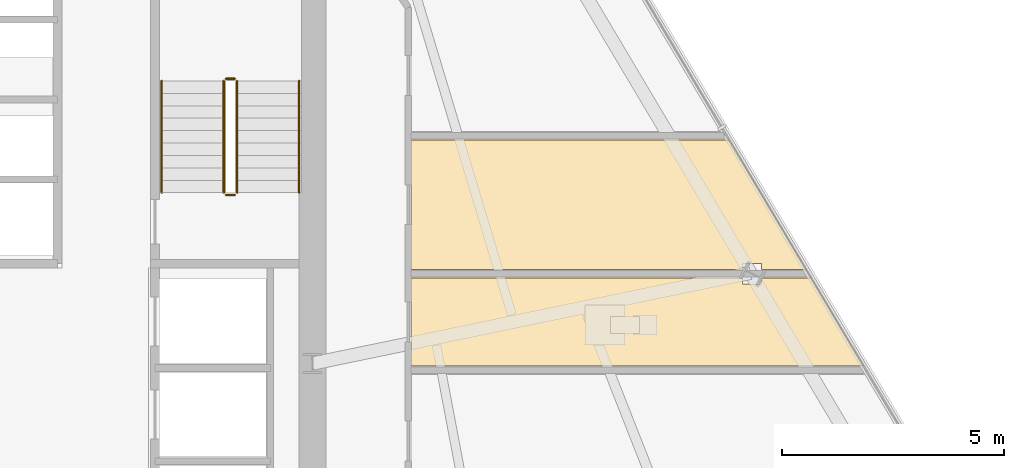
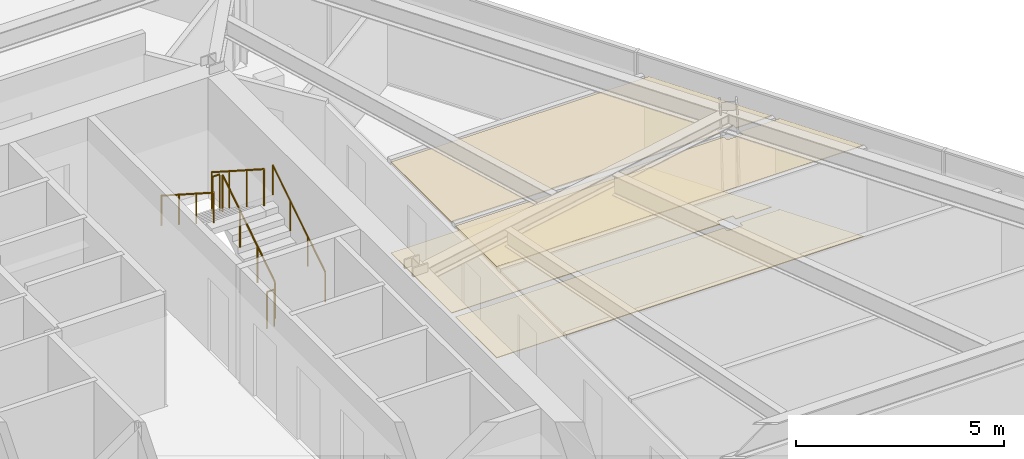
# One storey, part 16 of 18: 6 railings, 4 coverings.
"""IFC4 building model written with IfcOpenShell, lengths in metres."""

from ifc_helpers import new_model, si_unit, direction, frame, origin, origin_2d, place, context, subcontext, project, spatial, polyline, circle, outline, extrude, material, layer, layer_set, type_object, element, save


model = new_model("IFC4")

# Units and contexts
model_context = context("Model", 3, precision=1e-05, world=origin(), true_north=direction((0.0, 1.0)))
body_context = subcontext(model_context, "Body", "Model", "MODEL_VIEW")
ifc_project = project(units=[si_unit("LENGTHUNIT", "METRE"), si_unit("AREAUNIT", "SQUARE_METRE"), si_unit("VOLUMEUNIT", "CUBIC_METRE"), si_unit("PLANEANGLEUNIT", "RADIAN"), si_unit("MASSUNIT", "GRAM", prefix="KILO")], contexts=[model_context])

# Site, building, storey
site_placement = place(None, origin())
site = spatial("IfcSite", under=ifc_project, at=site_placement, CompositionType="ELEMENT")
building_placement = place(site_placement, origin())
building = spatial("IfcBuilding", under=site, at=building_placement, Name="Savorim Split Tower", CompositionType="ELEMENT")
storey_placement = place(building_placement, frame((0.0, 0.0, 48.0)))
storey = spatial("IfcBuildingStorey", under=building, at=storey_placement, Name="L12", CompositionType="ELEMENT", Elevation=48.0)

# Coverings
ifc_material_1 = material(Name="Mineral Fibre Acoustic Ceiling")
ifc_layer_1 = layer(ifc_material_1, 0.02490234375)
ifc_layer_set_1 = layer_set([ifc_layer_1], Name="COV-CEIL-25")
covering_type_1 = type_object("IfcCoveringType", Name="COV-CEIL-25", PredefinedType="CEILING", material=ifc_layer_set_1)
covering_1_placement = place(storey_placement, frame((0.0, 0.0, 2.669921875)))
element("IfcCovering", 1, at=covering_1_placement, inside=storey, type_object=covering_type_1, Name="L12 Shared Bathroom Acoustic Ceiling", PredefinedType="CEILING", context=body_context, shape_type="SweptSolid", body=[
    extrude(outline(polyline([(17.387939453125, 2.193115234375), (17.387939453125, 2.3310546875), (9.919921875, 2.3310546875), (9.919921875, 0.34765625), (20.117919921875, 0.34765625), (18.9189453125, 2.364013671875), (18.9189453125, 2.3310546875), (17.823974609375, 2.3310546875), (17.823974609375, 2.193115234375), (17.387939453125, 2.193115234375)])), origin(), (0.0, 0.0, 1.0), 0.025146484375),
])
covering_2_placement = place(storey_placement, frame((0.0, 0.0, 2.669921875)))
element("IfcCovering", 2, at=covering_2_placement, inside=storey, type_object=covering_type_1, Name="L12 Maker Workshop Acoustic Ceiling", PredefinedType="CEILING", context=body_context, shape_type="SweptSolid", body=[
    extrude(outline(polyline([(17.823974609375, 2.658935546875), (17.823974609375, 2.52099609375), (18.823974609375, 2.52099609375), (18.82568359375, 2.52099609375), (17.092041015625, 5.436279296875), (9.919921875, 5.436279296875), (9.919921875, 2.52099609375), (17.387939453125, 2.52099609375), (17.387939453125, 2.658935546875), (17.823974609375, 2.658935546875)])), origin(), (0.0, 0.0, 1.0), 0.025146484375),
])
ifc_material_2 = material(Name="Porcelain Stoneware Flooring", Category="masonry")
ifc_layer_2 = layer(ifc_material_2, 0.02001953125)
ifc_layer_set_2 = layer_set([ifc_layer_2], Name="COV-FLOR-20")
covering_type_2 = type_object("IfcCoveringType", Name="COV-FLOR-20", PredefinedType="FLOORING", material=ifc_layer_set_2)
covering_3_placement = place(storey_placement, origin())
element("IfcCovering", 3, at=covering_3_placement, inside=storey, type_object=covering_type_2, Name="L12 Shared Bathroom Porcelain Flooring", PredefinedType="FLOORING", context=body_context, shape_type="SweptSolid", body=[
    extrude(outline(polyline([(17.387939453125, 2.193115234375), (17.387939453125, 2.3310546875), (9.919921875, 2.3310546875), (9.919921875, 0.34765625), (20.117919921875, 0.34765625), (18.9189453125, 2.364013671875), (18.9189453125, 2.3310546875), (17.823974609375, 2.3310546875), (17.823974609375, 2.193115234375), (17.387939453125, 2.193115234375)])), origin(), (0.0, 0.0, 1.0), 0.02001953125),
])
covering_4_placement = place(storey_placement, origin())
element("IfcCovering", 4, at=covering_4_placement, inside=storey, type_object=covering_type_2, Name="L12 Maker Workshop Porcelain Flooring", PredefinedType="FLOORING", context=body_context, shape_type="SweptSolid", body=[
    extrude(outline(polyline([(17.823974609375, 2.658935546875), (17.823974609375, 2.52099609375), (18.823974609375, 2.52099609375), (18.82568359375, 2.52099609375), (17.092041015625, 5.436279296875), (9.919921875, 5.436279296875), (9.919921875, 2.52099609375), (17.387939453125, 2.52099609375), (17.387939453125, 2.658935546875), (17.823974609375, 2.658935546875)])), origin(), (0.0, 0.0, 1.0), 0.02001953125),
])

# Railings
ifc_material_3 = material(Name="Galvanised Painted Steel Balustrade", Category="steel")
railing_type_1 = type_object("IfcRailingType", Name="RLG-HR-900", PredefinedType="HANDRAIL", material=ifc_material_3)
railing_1_placement = place(storey_placement, frame((7.39990234375, 4.25, 0.179931640625)))
element("IfcRailing", 5, at=railing_1_placement, inside=storey, type_object=railing_type_1, Name="L12 ST-2 stair handrail 1", PredefinedType="HANDRAIL", context=body_context, shape_type="SweptSolid", body=[
    extrude(circle(Radius=0.02392578125, at=origin_2d()), frame((0.0, 0.0, 0.8759765625), z_axis=(0.0, 0.841162588446, 0.540782303519), x_axis=(-1.0, 0.0, 0.0)), (0.0, 0.0, 1.0), 2.995849609375),
    extrude(circle(Radius=0.02099609375, at=origin_2d()), origin(), (0.0, 0.0, 1.0), 0.851806640625),
    extrude(circle(Radius=0.02099609375, at=origin_2d()), frame((0.0, 0.840087890625, 0.5400390625)), (0.0, 0.0, 1.0), 0.851806640625),
    extrude(circle(Radius=0.02099609375, at=origin_2d()), frame((0.0, 1.679931640625, 1.080078125)), (0.0, 0.0, 1.0), 0.851806640625),
    extrude(circle(Radius=0.02099609375, at=origin_2d()), frame((0.0, 2.52001953125, 1.6201171875)), (0.0, 0.0, 1.0), 0.851806640625),
])
railing_2_placement = place(storey_placement, frame((4.300048828125, 6.77001953125, 1.97998046875)))
element("IfcRailing", 6, at=railing_2_placement, inside=storey, type_object=railing_type_1, Name="L12 ST-2 stair handrail 2", PredefinedType="HANDRAIL", context=body_context, shape_type="SweptSolid", body=[
    extrude(circle(Radius=0.02392578125, at=origin_2d()), frame((0.0, 0.0, 0.8759765625), z_axis=(0.0, -0.841162588446, 0.540782303519), x_axis=(1.0, 0.0, 0.0)), (0.0, 0.0, 1.0), 2.995849609375),
    extrude(circle(Radius=0.02099609375, at=origin_2d()), origin(), (0.0, 0.0, 1.0), 0.851806640625),
    extrude(circle(Radius=0.02099609375, at=origin_2d()), frame((0.0, -0.840087890625, 0.5400390625)), (0.0, 0.0, 1.0), 0.851806640625),
    extrude(circle(Radius=0.02099609375, at=origin_2d()), frame((0.0, -1.679931640625, 1.080078125)), (0.0, 0.0, 1.0), 0.851806640625),
    extrude(circle(Radius=0.02099609375, at=origin_2d()), frame((0.0, -2.52001953125, 1.6201171875)), (0.0, 0.0, 1.0), 0.851806640625),
])
railing_type_2 = type_object("IfcRailingType", Name="RLG-STG-1100", PredefinedType="BALUSTRADE", material=ifc_material_3)
railing_3_placement = place(storey_placement, frame((6.0, 4.25, 0.179931640625)))
element("IfcRailing", 7, at=railing_3_placement, inside=storey, type_object=railing_type_2, Name="L12 ST-2 stair guard 1", PredefinedType="BALUSTRADE", context=body_context, shape_type="SweptSolid", body=[
    extrude(circle(Radius=0.02392578125, at=origin_2d()), frame((0.0, 0.0, 1.076171875), z_axis=(0.0, 0.841162588446, 0.540782303519), x_axis=(-1.0, 0.0, 0.0)), (0.0, 0.0, 1.0), 2.995849609375),
    extrude(circle(Radius=0.02099609375, at=origin_2d()), origin(), (0.0, 0.0, 1.0), 1.052001953125),
    extrude(circle(Radius=0.02099609375, at=origin_2d()), frame((0.0, 0.840087890625, 0.5400390625)), (0.0, 0.0, 1.0), 1.052001953125),
    extrude(circle(Radius=0.02099609375, at=origin_2d()), frame((0.0, 1.679931640625, 1.080078125)), (0.0, 0.0, 1.0), 1.052001953125),
    extrude(circle(Radius=0.02099609375, at=origin_2d()), frame((0.0, 2.52001953125, 1.6201171875)), (0.0, 0.0, 1.0), 1.052001953125),
])
railing_4_placement = place(storey_placement, frame((5.949951171875, 6.820068359375, 1.800048828125)))
element("IfcRailing", 8, at=railing_4_placement, inside=storey, type_object=railing_type_2, Name="L12 ST-2 stair guard 2", PredefinedType="BALUSTRADE", context=body_context, shape_type="SweptSolid", body=[
    extrude(circle(Radius=0.02392578125, at=origin_2d()), frame((0.0, 0.0, 1.076171875), z_axis=(-1.0, 0.0, 0.0), x_axis=(0.0, -1.0, 0.0)), (0.0, 0.0, 1.0), 0.199951171875),
    extrude(circle(Radius=0.02099609375, at=origin_2d()), origin(), (0.0, 0.0, 1.0), 1.052001953125),
    extrude(circle(Radius=0.02099609375, at=origin_2d()), frame((-0.199951171875, 0.0, 0.0)), (0.0, 0.0, 1.0), 1.052001953125),
])
railing_5_placement = place(storey_placement, frame((5.699951171875, 6.77001953125, 1.97998046875)))
element("IfcRailing", 9, at=railing_5_placement, inside=storey, type_object=railing_type_2, Name="L12 ST-2 stair guard 3", PredefinedType="BALUSTRADE", context=body_context, shape_type="SweptSolid", body=[
    extrude(circle(Radius=0.02392578125, at=origin_2d()), frame((0.0, 0.0, 1.076171875), z_axis=(0.0, -0.841162588446, 0.540782303519), x_axis=(1.0, 0.0, 0.0)), (0.0, 0.0, 1.0), 2.995849609375),
    extrude(circle(Radius=0.02099609375, at=origin_2d()), origin(), (0.0, 0.0, 1.0), 1.052001953125),
    extrude(circle(Radius=0.02099609375, at=origin_2d()), frame((0.0, -0.840087890625, 0.5400390625)), (0.0, 0.0, 1.0), 1.052001953125),
    extrude(circle(Radius=0.02099609375, at=origin_2d()), frame((0.0, -1.679931640625, 1.080078125)), (0.0, 0.0, 1.0), 1.052001953125),
    extrude(circle(Radius=0.02099609375, at=origin_2d()), frame((0.0, -2.52001953125, 1.6201171875)), (0.0, 0.0, 1.0), 1.052001953125),
])
railing_6_placement = place(storey_placement, frame((5.949951171875, 4.199951171875, 0.0)))
element("IfcRailing", 10, at=railing_6_placement, inside=storey, type_object=railing_type_2, Name="L12 ST-2 stair guard 4", PredefinedType="BALUSTRADE", context=body_context, shape_type="SweptSolid", body=[
    extrude(circle(Radius=0.02392578125, at=origin_2d()), frame((0.0, 0.0, 1.076171875), z_axis=(-1.0, 0.0, 0.0), x_axis=(0.0, -1.0, 0.0)), (0.0, 0.0, 1.0), 0.199951171875),
    extrude(circle(Radius=0.02099609375, at=origin_2d()), origin(), (0.0, 0.0, 1.0), 1.052001953125),
    extrude(circle(Radius=0.02099609375, at=origin_2d()), frame((-0.199951171875, 0.0, 0.0)), (0.0, 0.0, 1.0), 1.052001953125),
])

save(model, "model.ifc")
